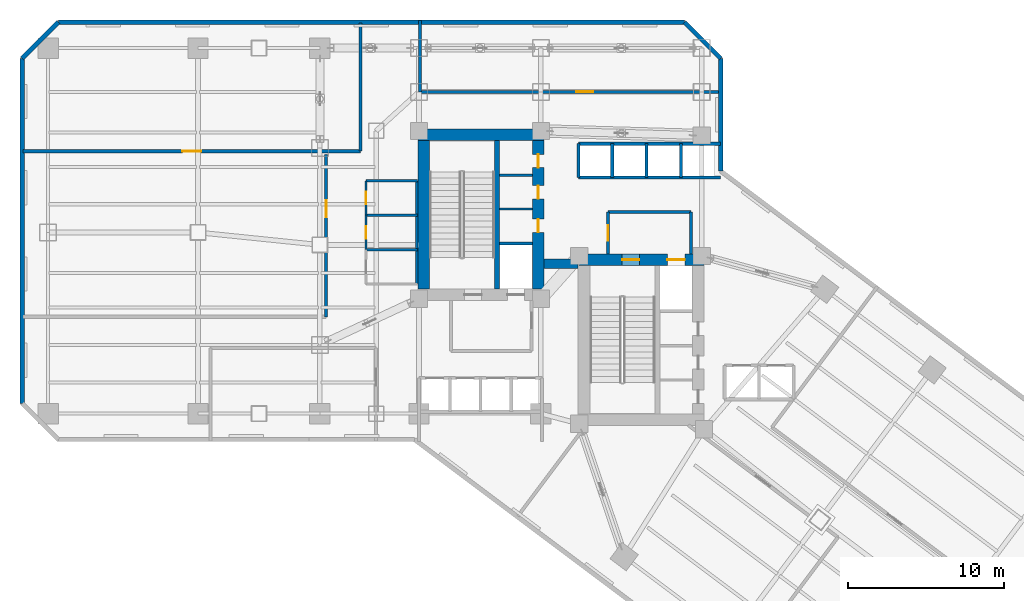
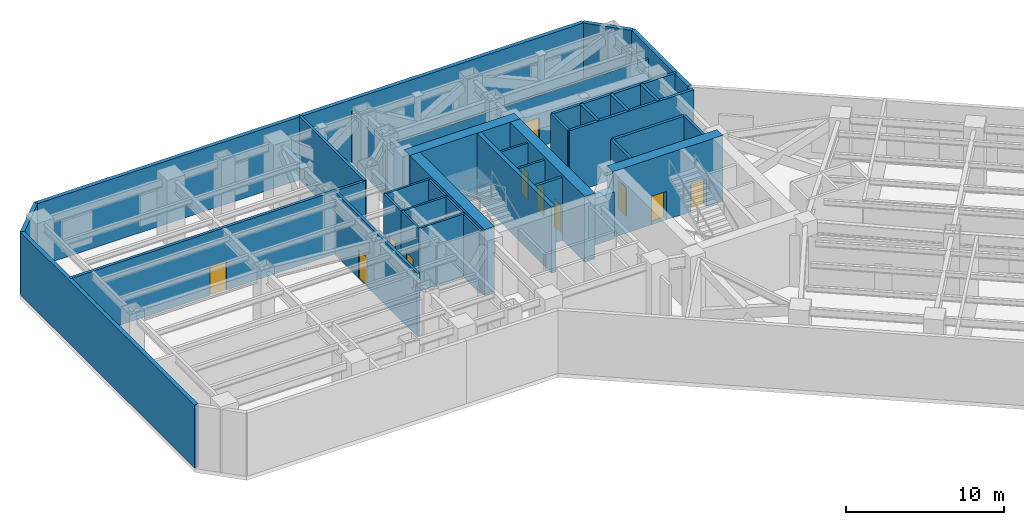
# One storey, part 11 of 16: 34 walls, 11 doors, 11 openings.
"""IFC4 building model written with IfcOpenShell, lengths in metres."""

from ifc_helpers import new_model, si_unit, direction, frame, frame_2d, origin, place, context, subcontext, project, spatial, rectangle, extrude, material, layer, layer_set, type_object, element, fill, save


model = new_model("IFC4")

# Units and contexts
model_context = context("Model", 3, precision=1e-05, world=origin(), true_north=direction((0.0, 1.0)))
body_context = subcontext(model_context, "Body", "Model", "MODEL_VIEW")
ifc_project = project(units=[si_unit("LENGTHUNIT", "METRE"), si_unit("AREAUNIT", "SQUARE_METRE"), si_unit("VOLUMEUNIT", "CUBIC_METRE"), si_unit("PLANEANGLEUNIT", "RADIAN"), si_unit("MASSUNIT", "GRAM", prefix="KILO")], contexts=[model_context])

# Site, building, storey
site_placement = place(None, origin())
site = spatial("IfcSite", under=ifc_project, at=site_placement, CompositionType="ELEMENT")
building_placement = place(site_placement, origin())
building = spatial("IfcBuilding", under=site, at=building_placement, Name="Hatsunagi Terrace Concourse", CompositionType="ELEMENT")
storey_placement = place(building_placement, frame((0.0, 0.0, 27.0)))
storey = spatial("IfcBuildingStorey", under=building, at=storey_placement, Name="L06", CompositionType="ELEMENT", Elevation=27.0)

# Walls
ifc_material_1 = material(Name="Concrete Fc60", Category="concrete")
ifc_layer_1 = layer(ifc_material_1, 0.60009765625)
ifc_layer_set_1 = layer_set([ifc_layer_1], Name="BeltWall_Fc60_600")
wall_type_1 = type_object("IfcWallType", Name="BeltWall_Fc60_600", PredefinedType="SHEAR", material=ifc_layer_set_1)
wall_1_placement = place(storey_placement, frame((33.550048828125, 34.800048828125, 0.0), z_axis=(0.0, 0.0, 1.0), x_axis=(1.0, 0.0, 0.0)))
element("IfcWall", 1, at=wall_1_placement, inside=storey, type_object=wall_type_1, Name="Belt wall core link L06", PredefinedType="SHEAR", context=body_context, shape_type="SweptSolid", body=[
    extrude(rectangle(XDim=2.18994140625, YDim=0.60009765625, at=frame_2d((1.094970703125, 0.0))), origin(), (0.0, 0.0, 1.0), 3.6298828125),
])
ifc_material_2 = material(Name="Concrete Fc60", Category="concrete")
ifc_layer_2 = layer(ifc_material_2, 0.75)
ifc_layer_set_2 = layer_set([ifc_layer_2], Name="CoreShearWall_Fc60_750")
wall_type_2 = type_object("IfcWallType", Name="CoreShearWall_Fc60_750", PredefinedType="SHEAR", material=ifc_layer_set_2)
wall_2_placement = place(storey_placement, frame((25.469970703125, 43.044921875, 0.0), z_axis=(0.0, 0.0, 1.0), x_axis=(1.0, 0.0, 0.0)))
element("IfcWall", 2, at=wall_2_placement, inside=storey, type_object=wall_type_2, Name="Core A Shear Wall N L06", PredefinedType="SHEAR", context=body_context, shape_type="SweptSolid", body=[
    extrude(rectangle(XDim=8.080078125, YDim=0.75, at=frame_2d((4.0400390625, 0.0))), origin(), (0.0, 0.0, 1.0), 5.10009765625),
])
wall_3_placement = place(storey_placement, frame((25.844970703125, 33.18994140625, 0.0), z_axis=(0.0, 0.0, 1.0), x_axis=(0.0, 1.0, 0.0)))
element("IfcWall", 3, at=wall_3_placement, inside=storey, type_object=wall_type_2, Name="Core A Shear Wall W L06", PredefinedType="SHEAR", context=body_context, shape_type="SweptSolid", body=[
    extrude(rectangle(XDim=9.47998046875, YDim=0.75, at=frame_2d((4.739990234375, 0.0))), origin(), (0.0, 0.0, 1.0), 5.10009765625),
])

# Wall, openings, doors
wall_4_placement = place(storey_placement, frame((33.175048828125, 33.18994140625, 0.0), z_axis=(0.0, 0.0, 1.0), x_axis=(0.0, 1.0, 0.0)))
wall_4 = element("IfcWall", 4, at=wall_4_placement, inside=storey, type_object=wall_type_2, Name="Core A Shear Wall E L06", PredefinedType="SHEAR", context=body_context, shape_type="SweptSolid", body=[
    extrude(rectangle(XDim=9.47998046875, YDim=0.75, at=frame_2d((4.739990234375, 0.0))), origin(), (0.0, 0.0, 1.0), 5.10009765625),
])
opening_1_placement = place(wall_4_placement, frame((3.610107421875, 0.0, 0.0)))
opening_1 = element("IfcOpeningElement", 5, at=opening_1_placement, cuts=wall_4, Name="Opening DR-085", PredefinedType="OPENING", context=body_context, shape_type="SweptSolid", body=[
    extrude(rectangle(XDim=0.85009765625, YDim=2.080078125, at=frame_2d((0.425048828125, 1.0400390625))), frame((0.0, 0.385009765625, 0.0), z_axis=(0.0, -1.0, 0.0), x_axis=(1.0, 0.0, 0.0)), (0.0, 0.0, 1.0), 0.77001953125),
])
opening_2_placement = place(wall_4_placement, frame((5.760009765625, 0.0, 0.0)))
opening_2 = element("IfcOpeningElement", 6, at=opening_2_placement, cuts=wall_4, Name="Opening DR-085", PredefinedType="OPENING", context=body_context, shape_type="SweptSolid", body=[
    extrude(rectangle(XDim=0.85009765625, YDim=2.080078125, at=frame_2d((0.425048828125, 1.0400390625))), frame((0.0, 0.385009765625, 0.0), z_axis=(0.0, -1.0, 0.0), x_axis=(1.0, 0.0, 0.0)), (0.0, 0.0, 1.0), 0.77001953125),
])
opening_3_placement = place(wall_4_placement, frame((7.760009765625, 0.0, 0.0)))
opening_3 = element("IfcOpeningElement", 7, at=opening_3_placement, cuts=wall_4, Name="Opening DR-085", PredefinedType="OPENING", context=body_context, shape_type="SweptSolid", body=[
    extrude(rectangle(XDim=0.85009765625, YDim=2.080078125, at=frame_2d((0.425048828125, 1.0400390625))), frame((0.0, 0.385009765625, 0.0), z_axis=(0.0, -1.0, 0.0), x_axis=(1.0, 0.0, 0.0)), (0.0, 0.0, 1.0), 0.77001953125),
])
ifc_material_3 = material(Name="Painted steel", Category="steel")
door_type_1 = type_object("IfcDoorType", Name="RiserAccessDoor_EI60_850", OperationType="NOTDEFINED", PredefinedType="DOOR", material=ifc_material_3)
door_1_placement = place(opening_1_placement, origin())
door_1 = element("IfcDoor", 8, at=door_1_placement, inside=storey, type_object=door_type_1, Name="Core A Riser Door L06-1", OperationType="SINGLE_SWING_LEFT", OverallHeight=2.080078125, OverallWidth=0.85009765625, PredefinedType="DOOR", context=body_context, shape_type="SweptSolid", body=[
    extrude(rectangle(XDim=0.85009765625, YDim=2.080078125, at=frame_2d((0.425048828125, 1.0400390625))), frame((0.0, 0.02490234375, 0.0), z_axis=(0.0, -1.0, 0.0), x_axis=(1.0, 0.0, 0.0)), (0.0, 0.0, 1.0), 0.050048828125),
])
fill(opening_1, door_1)
door_2_placement = place(opening_2_placement, origin())
door_2 = element("IfcDoor", 9, at=door_2_placement, inside=storey, type_object=door_type_1, Name="Core A Riser Door L06-2", OperationType="SINGLE_SWING_LEFT", OverallHeight=2.080078125, OverallWidth=0.85009765625, PredefinedType="DOOR", context=body_context, shape_type="SweptSolid", body=[
    extrude(rectangle(XDim=0.85009765625, YDim=2.080078125, at=frame_2d((0.425048828125, 1.0400390625))), frame((0.0, 0.02490234375, 0.0), z_axis=(0.0, -1.0, 0.0), x_axis=(1.0, 0.0, 0.0)), (0.0, 0.0, 1.0), 0.050048828125),
])
fill(opening_2, door_2)
door_3_placement = place(opening_3_placement, origin())
door_3 = element("IfcDoor", 10, at=door_3_placement, inside=storey, type_object=door_type_1, Name="Core A Riser Door L06-3", OperationType="SINGLE_SWING_LEFT", OverallHeight=2.080078125, OverallWidth=0.85009765625, PredefinedType="DOOR", context=body_context, shape_type="SweptSolid", body=[
    extrude(rectangle(XDim=0.85009765625, YDim=2.080078125, at=frame_2d((0.425048828125, 1.0400390625))), frame((0.0, 0.02490234375, 0.0), z_axis=(0.0, -1.0, 0.0), x_axis=(1.0, 0.0, 0.0)), (0.0, 0.0, 1.0), 0.050048828125),
])
fill(opening_3, door_3)

wall_5_placement = place(storey_placement, frame((35.739990234375, 35.044921875, 0.0), z_axis=(0.0, 0.0, 1.0), x_axis=(1.0, 0.0, 0.0)))
wall_5 = element("IfcWall", 11, at=wall_5_placement, inside=storey, type_object=wall_type_2, Name="Core B Shear Wall N L06", PredefinedType="SHEAR", context=body_context, shape_type="SweptSolid", body=[
    extrude(rectangle(XDim=8.06005859375, YDim=0.75, at=frame_2d((4.030029296875, 0.0))), origin(), (0.0, 0.0, 1.0), 5.10009765625),
])
opening_4_placement = place(wall_5_placement, frame((2.81005859375, 0.0, 0.0)))
opening_4 = element("IfcOpeningElement", 12, at=opening_4_placement, cuts=wall_5, Name="Opening DR-110S", PredefinedType="OPENING", context=body_context, shape_type="SweptSolid", body=[
    extrude(rectangle(XDim=1.10009765625, YDim=2.199951171875, at=frame_2d((0.550048828125, 1.10009765625))), frame((0.0, 0.385009765625, 0.0), z_axis=(0.0, -1.0, 0.0), x_axis=(1.0, 0.0, 0.0)), (0.0, 0.0, 1.0), 0.77001953125),
])
opening_5_placement = place(wall_5_placement, frame((5.7099609375, 0.0, 0.0)))
opening_5 = element("IfcOpeningElement", 13, at=opening_5_placement, cuts=wall_5, Name="Opening LD-02", PredefinedType="OPENING", context=body_context, shape_type="SweptSolid", body=[
    extrude(rectangle(XDim=1.1201171875, YDim=2.14990234375, at=frame_2d((0.56005859375, 1.074951171875))), frame((0.0, 0.385009765625, 0.0), z_axis=(0.0, -1.0, 0.0), x_axis=(1.0, 0.0, 0.0)), (0.0, 0.0, 1.0), 0.77001953125),
])
ifc_material_4 = material(Name="Stainless steel", Category="steel")
door_type_2 = type_object("IfcDoorType", Name="LiftLandingDoor_LD02", OperationType="SLIDING_TO_RIGHT", PredefinedType="USERDEFINED", material=ifc_material_4)
door_4_placement = place(opening_5_placement, origin())
door_4 = element("IfcDoor", 14, at=door_4_placement, inside=storey, type_object=door_type_2, Name="Lift landing door FF-02 L06", ObjectType="SLIDING_LANDING_DOOR", OperationType="SLIDING_TO_RIGHT", OverallHeight=2.14990234375, OverallWidth=1.1201171875, PredefinedType="USERDEFINED", context=body_context, shape_type="SweptSolid", body=[
    extrude(rectangle(XDim=1.1201171875, YDim=2.14990234375, at=frame_2d((0.56005859375, 1.074951171875))), frame((0.0, 0.02490234375, 0.0), z_axis=(0.0, -1.0, 0.0), x_axis=(1.0, 0.0, 0.0)), (0.0, 0.0, 1.0), 0.050048828125),
])
fill(opening_5, door_4)
ifc_material_5 = material(Name="Painted steel", Category="steel")
door_type_3 = type_object("IfcDoorType", Name="StairFireDoor_EI60_1100", OperationType="NOTDEFINED", PredefinedType="DOOR", material=ifc_material_5)
door_5_placement = place(opening_4_placement, origin())
door_5 = element("IfcDoor", 15, at=door_5_placement, inside=storey, type_object=door_type_3, Name="Stair ST-B Exit Door L06", OperationType="SINGLE_SWING_RIGHT", OverallHeight=2.199951171875, OverallWidth=1.10009765625, PredefinedType="DOOR", context=body_context, shape_type="SweptSolid", body=[
    extrude(rectangle(XDim=1.10009765625, YDim=2.199951171875, at=frame_2d((0.550048828125, 1.10009765625))), frame((0.0, 0.02490234375, 0.0), z_axis=(0.0, -1.0, 0.0), x_axis=(1.0, 0.0, 0.0)), (0.0, 0.0, 1.0), 0.050048828125),
])
fill(opening_4, door_5)

# Walls
ifc_material_6 = material(Name="Concrete Fc48", Category="concrete")
ifc_layer_3 = layer(ifc_material_6, 0.300048828125)
ifc_layer_set_3 = layer_set([ifc_layer_3], Name="CoreStairDivider_Fc48_300")
wall_type_3 = type_object("IfcWallType", Name="CoreStairDivider_Fc48_300", PredefinedType="SHEAR", material=ifc_layer_set_3)
wall_6_placement = place(storey_placement, frame((30.5400390625, 33.18994140625, 0.0), z_axis=(0.0, 0.0, 1.0), x_axis=(0.0, 1.0, 0.0)))
element("IfcWall", 16, at=wall_6_placement, inside=storey, type_object=wall_type_3, Name="Core A Shear Wall D L06", PredefinedType="SHEAR", context=body_context, shape_type="SweptSolid", body=[
    extrude(rectangle(XDim=9.47998046875, YDim=0.300048828125, at=frame_2d((4.739990234375, 0.0))), origin(), (0.0, 0.0, 1.0), 5.10009765625),
])
ifc_material_7 = material(Name="Acoustic mineral board", Category="gypsum")
ifc_layer_4 = layer(ifc_material_7, 0.14990234375)
ifc_layer_set_4 = layer_set([ifc_layer_4], Name="PartitionWall_EI60_150")
wall_type_4 = type_object("IfcWallType", Name="PartitionWall_EI60_150", PredefinedType="PARTITIONING", material=ifc_layer_set_4)
for number, where, z_axis, x_axis, name in (
    (17, (30.699951171875, 38.300048828125, 0.0), (0.0, 0.0, 1.0), (1.0, 0.0, 0.0), "Interior Partition IW-L06-002"),
    (18, (30.699951171875, 40.449951171875, 0.0), (0.0, 0.0, 1.0), (1.0, 0.0, 0.0), "Interior Partition IW-L06-003"),
):
    element("IfcWall", number, at=place(storey_placement, frame(where, z_axis=z_axis, x_axis=x_axis)), inside=storey, type_object=wall_type_4, Name=name, PredefinedType="PARTITIONING", context=body_context, shape_type="SweptSolid", body=[
        extrude(rectangle(XDim=2.10009765625, YDim=0.14990234375, at=frame_2d((1.050048828125, 0.0))), origin(), (0.0, 0.0, 1.0), 4.8798828125),
    ])
wall_7_placement = place(storey_placement, frame((22.14990234375, 40.10009765625, 0.0), z_axis=(0.0, 0.0, 1.0), x_axis=(1.0, 0.0, 0.0)))
element("IfcWall", 19, at=wall_7_placement, inside=storey, type_object=wall_type_4, Name="Interior Partition IW-L06-032", PredefinedType="PARTITIONING", context=body_context, shape_type="SweptSolid", body=[
    extrude(rectangle(XDim=3.300048828125, YDim=0.14990234375, at=frame_2d((1.64990234375, 0.0))), origin(), (0.0, 0.0, 1.0), 4.8798828125),
])
wall_8_placement = place(storey_placement, frame((25.39990234375, 33.5, 0.0), z_axis=(0.0, 0.0, 1.0), x_axis=(0.0, 1.0, 0.0)))
element("IfcWall", 20, at=wall_8_placement, inside=storey, type_object=wall_type_4, Name="Interior Partition IW-L06-033", PredefinedType="PARTITIONING", context=body_context, shape_type="SweptSolid", body=[
    extrude(rectangle(XDim=6.60009765625, YDim=0.14990234375, at=frame_2d((3.300048828125, 0.0))), origin(), (0.0, 0.0, 1.0), 4.8798828125),
])
for number, where, z_axis, x_axis, name in (
    (21, (22.14990234375, 35.699951171875, 0.0), (0.0, 0.0, 1.0), (1.0, 0.0, 0.0), "Interior Partition IW-L06-034"),
    (22, (22.14990234375, 37.89990234375, 0.0), (0.0, 0.0, 1.0), (1.0, 0.0, 0.0), "Interior Partition IW-L06-035"),
):
    element("IfcWall", number, at=place(storey_placement, frame(where, z_axis=z_axis, x_axis=x_axis)), inside=storey, type_object=wall_type_4, Name=name, PredefinedType="PARTITIONING", context=body_context, shape_type="SweptSolid", body=[
        extrude(rectangle(XDim=3.300048828125, YDim=0.14990234375, at=frame_2d((1.64990234375, 0.0))), origin(), (0.0, 0.0, 1.0), 4.8798828125),
    ])

# Wall, opening, door
wall_9_placement = place(storey_placement, frame((22.14990234375, 35.699951171875, 0.0), z_axis=(0.0, 0.0, 1.0), x_axis=(0.0, 1.0, 0.0)))
wall_9 = element("IfcWall", 23, at=wall_9_placement, inside=storey, type_object=wall_type_4, Name="Interior Partition IW-L06-037", PredefinedType="PARTITIONING", context=body_context, shape_type="SweptSolid", body=[
    extrude(rectangle(XDim=2.199951171875, YDim=0.14990234375, at=frame_2d((1.10009765625, 0.0))), origin(), (0.0, 0.0, 1.0), 4.8798828125),
])
opening_6_placement = place(wall_9_placement, frame((0.699951171875, 0.0, 0.0)))
opening_6 = element("IfcOpeningElement", 24, at=opening_6_placement, cuts=wall_9, Name="Opening DR-080", PredefinedType="OPENING", context=body_context, shape_type="SweptSolid", body=[
    extrude(rectangle(XDim=0.800048828125, YDim=2.06005859375, at=frame_2d((0.39990234375, 1.030029296875))), frame((0.0, 0.0849609375, 0.0), z_axis=(0.0, -1.0, 0.0), x_axis=(1.0, 0.0, 0.0)), (0.0, 0.0, 1.0), 0.169921875),
])
ifc_material_8 = material(Name="Hardwood timber", Category="wood")
door_type_4 = type_object("IfcDoorType", Name="BathroomDoor_800", OperationType="NOTDEFINED", PredefinedType="DOOR", material=ifc_material_8)
door_6_placement = place(opening_6_placement, origin())
door_6 = element("IfcDoor", 25, at=door_6_placement, inside=storey, type_object=door_type_4, Name="Female Restroom Door L06", OperationType="SINGLE_SWING_RIGHT", OverallHeight=2.06005859375, OverallWidth=0.800048828125, PredefinedType="DOOR", context=body_context, shape_type="SweptSolid", body=[
    extrude(rectangle(XDim=0.800048828125, YDim=2.06005859375, at=frame_2d((0.39990234375, 1.030029296875))), frame((0.0, 0.02490234375, 0.0), z_axis=(0.0, -1.0, 0.0), x_axis=(1.0, 0.0, 0.0)), (0.0, 0.0, 1.0), 0.050048828125),
])
fill(opening_6, door_6)

wall_10_placement = place(storey_placement, frame((22.14990234375, 37.89990234375, 0.0), z_axis=(0.0, 0.0, 1.0), x_axis=(0.0, 1.0, 0.0)))
wall_10 = element("IfcWall", 26, at=wall_10_placement, inside=storey, type_object=wall_type_4, Name="Interior Partition IW-L06-038", PredefinedType="PARTITIONING", context=body_context, shape_type="SweptSolid", body=[
    extrude(rectangle(XDim=2.2001953125, YDim=0.14990234375, at=frame_2d((1.10009765625, 0.0))), origin(), (0.0, 0.0, 1.0), 4.8798828125),
])
opening_7_placement = place(wall_10_placement, frame((0.699951171875, 0.0, 0.0)))
opening_7 = element("IfcOpeningElement", 27, at=opening_7_placement, cuts=wall_10, Name="Opening DR-080", PredefinedType="OPENING", context=body_context, shape_type="SweptSolid", body=[
    extrude(rectangle(XDim=0.800048828125, YDim=2.06005859375, at=frame_2d((0.39990234375, 1.030029296875))), frame((0.0, 0.0849609375, 0.0), z_axis=(0.0, -1.0, 0.0), x_axis=(1.0, 0.0, 0.0)), (0.0, 0.0, 1.0), 0.169921875),
])
door_7_placement = place(opening_7_placement, origin())
door_7 = element("IfcDoor", 28, at=door_7_placement, inside=storey, type_object=door_type_4, Name="Male Restroom Door L06", OperationType="SINGLE_SWING_RIGHT", OverallHeight=2.06005859375, OverallWidth=0.800048828125, PredefinedType="DOOR", context=body_context, shape_type="SweptSolid", body=[
    extrude(rectangle(XDim=0.800048828125, YDim=2.06005859375, at=frame_2d((0.39990234375, 1.030029296875))), frame((0.0, 0.02490234375, 0.0), z_axis=(0.0, -1.0, 0.0), x_axis=(1.0, 0.0, 0.0)), (0.0, 0.0, 1.0), 0.050048828125),
])
fill(opening_7, door_7)

# Walls
ifc_material_9 = material(Name="Acoustic mineral board", Category="gypsum")
ifc_layer_5 = layer(ifc_material_9, 0.199951171875)
ifc_layer_set_5 = layer_set([ifc_layer_5], Name="ShaftWall_EI120_200")
wall_type_5 = type_object("IfcWallType", Name="ShaftWall_EI120_200", PredefinedType="STANDARD", material=ifc_layer_set_5)
wall_11_placement = place(storey_placement, frame((30.699951171875, 36.10009765625, 0.0), z_axis=(0.0, 0.0, 1.0), x_axis=(1.0, 0.0, 0.0)))
element("IfcWall", 29, at=wall_11_placement, inside=storey, type_object=wall_type_5, Name="Interior Partition IW-L06-001", PredefinedType="STANDARD", context=body_context, shape_type="SweptSolid", body=[
    extrude(rectangle(XDim=2.10009765625, YDim=0.199951171875, at=frame_2d((1.050048828125, 0.0))), origin(), (0.0, 0.0, 1.0), 4.8798828125),
])
wall_12_placement = place(storey_placement, frame((37.64990234375, 38.10009765625, 0.0), z_axis=(0.0, 0.0, 1.0), x_axis=(1.0, 0.0, 0.0)))
element("IfcWall", 30, at=wall_12_placement, inside=storey, type_object=wall_type_5, Name="Interior Partition IW-L06-010", PredefinedType="STANDARD", context=body_context, shape_type="SweptSolid", body=[
    extrude(rectangle(XDim=5.300048828125, YDim=0.199951171875, at=frame_2d((2.64990234375, 0.0))), origin(), (0.0, 0.0, 1.0), 4.8798828125),
])
wall_13_placement = place(storey_placement, frame((42.949951171875, 35.419921875, 0.0), z_axis=(0.0, 0.0, 1.0), x_axis=(0.0, 1.0, 0.0)))
element("IfcWall", 31, at=wall_13_placement, inside=storey, type_object=wall_type_5, Name="Interior Partition IW-L06-011", PredefinedType="STANDARD", context=body_context, shape_type="SweptSolid", body=[
    extrude(rectangle(XDim=2.68017578125, YDim=0.199951171875, at=frame_2d((1.340087890625, 0.0))), origin(), (0.0, 0.0, 1.0), 4.8798828125),
])

# Wall, opening, door
wall_14_placement = place(storey_placement, frame((37.64990234375, 35.419921875, 0.0), z_axis=(0.0, 0.0, 1.0), x_axis=(0.0, 1.0, 0.0)))
wall_14 = element("IfcWall", 32, at=wall_14_placement, inside=storey, type_object=wall_type_5, Name="Interior Partition IW-L06-012", PredefinedType="STANDARD", context=body_context, shape_type="SweptSolid", body=[
    extrude(rectangle(XDim=2.68017578125, YDim=0.199951171875, at=frame_2d((1.340087890625, 0.0))), origin(), (0.0, 0.0, 1.0), 4.8798828125),
])
opening_8_placement = place(wall_14_placement, frame((0.840087890625, 0.0, 0.0)))
opening_8 = element("IfcOpeningElement", 33, at=opening_8_placement, cuts=wall_14, Name="Opening DR-100F", PredefinedType="OPENING", context=body_context, shape_type="SweptSolid", body=[
    extrude(rectangle(XDim=1.0, YDim=2.199951171875, at=frame_2d((0.5, 1.10009765625))), frame((0.0, 0.10986328125, 0.0), z_axis=(0.0, -1.0, 0.0), x_axis=(1.0, 0.0, 0.0)), (0.0, 0.0, 1.0), 0.219970703125),
])
ifc_material_10 = material(Name="Painted steel", Category="steel")
door_type_5 = type_object("IfcDoorType", Name="FireDoor_EI60_1000", OperationType="NOTDEFINED", PredefinedType="DOOR", material=ifc_material_10)
door_8_placement = place(opening_8_placement, origin())
door_8 = element("IfcDoor", 34, at=door_8_placement, inside=storey, type_object=door_type_5, Name="Firefighting Lobby B Door L06", OperationType="SINGLE_SWING_RIGHT", OverallHeight=2.199951171875, OverallWidth=1.0, PredefinedType="DOOR", context=body_context, shape_type="SweptSolid", body=[
    extrude(rectangle(XDim=1.0, YDim=2.199951171875, at=frame_2d((0.5, 1.10009765625))), frame((0.0, 0.02490234375, 0.0), z_axis=(0.0, -1.0, 0.0), x_axis=(1.0, 0.0, 0.0)), (0.0, 0.0, 1.0), 0.050048828125),
])
fill(opening_8, door_8)

# Walls
wall_15_placement = place(storey_placement, frame((35.75, 42.47998046875, 0.0), z_axis=(0.0, 0.0, 1.0), x_axis=(1.0, 0.0, 0.0)))
element("IfcWall", 35, at=wall_15_placement, inside=storey, type_object=wall_type_5, Name="Interior Partition IW-L06-020", PredefinedType="STANDARD", context=body_context, shape_type="SweptSolid", body=[
    extrude(rectangle(XDim=9.110107421875, YDim=0.199951171875, at=frame_2d((4.55517578125, 0.0))), origin(), (0.0, 0.0, 1.0), 4.8798828125),
])
for number, where, z_axis, x_axis, name in (
    (36, (35.75, 40.320068359375, 0.0), (0.0, 0.0, 1.0), (0.0, 1.0, 0.0), "Interior Partition IW-L06-021"),
    (37, (37.919921875, 40.320068359375, 0.0), (0.0, 0.0, 1.0), (0.0, 1.0, 0.0), "Interior Partition IW-L06-022"),
    (38, (40.1201171875, 40.320068359375, 0.0), (0.0, 0.0, 1.0), (0.0, 1.0, 0.0), "Interior Partition IW-L06-023"),
    (39, (42.320068359375, 40.320068359375, 0.0), (0.0, 0.0, 1.0), (0.0, 1.0, 0.0), "Interior Partition IW-L06-024"),
):
    element("IfcWall", number, at=place(storey_placement, frame(where, z_axis=z_axis, x_axis=x_axis)), inside=storey, type_object=wall_type_5, Name=name, PredefinedType="STANDARD", context=body_context, shape_type="SweptSolid", body=[
        extrude(rectangle(XDim=2.159912109375, YDim=0.199951171875, at=frame_2d((1.080078125, 0.0))), origin(), (0.0, 0.0, 1.0), 4.8798828125),
    ])
wall_16_placement = place(storey_placement, frame((35.75, 40.320068359375, 0.0), z_axis=(0.0, 0.0, 1.0), x_axis=(1.0, 0.0, 0.0)))
element("IfcWall", 40, at=wall_16_placement, inside=storey, type_object=wall_type_5, Name="Interior Partition IW-L06-025", PredefinedType="STANDARD", context=body_context, shape_type="SweptSolid", body=[
    extrude(rectangle(XDim=9.110107421875, YDim=0.199951171875, at=frame_2d((4.55517578125, 0.0))), origin(), (0.0, 0.0, 1.0), 4.8798828125),
])

# Wall, opening, door
wall_17_placement = place(storey_placement, frame((0.199951171875, 42.0, 0.0), z_axis=(0.0, 0.0, 1.0), x_axis=(1.0, 0.0, 0.0)))
wall_17 = element("IfcWall", 41, at=wall_17_placement, inside=storey, type_object=wall_type_5, Name="Interior Partition IW-L06-044", PredefinedType="STANDARD", context=body_context, shape_type="SweptSolid", body=[
    extrude(rectangle(XDim=21.60009765625, YDim=0.199951171875, at=frame_2d((10.800048828125, 0.0))), origin(), (0.0, 0.0, 1.0), 4.8798828125),
])
opening_9_placement = place(wall_17_placement, frame((10.199951171875, 0.0, 0.0)))
opening_9 = element("IfcOpeningElement", 42, at=opening_9_placement, cuts=wall_17, Name="Opening DR-120", PredefinedType="OPENING", context=body_context, shape_type="SweptSolid", body=[
    extrude(rectangle(XDim=1.199951171875, YDim=2.25, at=frame_2d((0.60009765625, 1.125))), frame((0.0, 0.10986328125, 0.0), z_axis=(0.0, -1.0, 0.0), x_axis=(1.0, 0.0, 0.0)), (0.0, 0.0, 1.0), 0.219970703125),
])
ifc_material_11 = material(Name="Painted steel", Category="steel")
door_type_6 = type_object("IfcDoorType", Name="PlantDoubleDoor_1200", OperationType="DOUBLE_DOOR_SINGLE_SWING", PredefinedType="DOOR", material=ifc_material_11)
door_9_placement = place(opening_9_placement, origin())
door_9 = element("IfcDoor", 43, at=door_9_placement, inside=storey, type_object=door_type_6, Name="Air Handling Plant Room L06-AHU Door", OperationType="DOUBLE_DOOR_SINGLE_SWING", OverallHeight=2.25, OverallWidth=1.199951171875, PredefinedType="DOOR", context=body_context, shape_type="SweptSolid", body=[
    extrude(rectangle(XDim=1.199951171875, YDim=2.25, at=frame_2d((0.60009765625, 1.125))), frame((0.0, 0.02490234375, 0.0), z_axis=(0.0, -1.0, 0.0), x_axis=(1.0, 0.0, 0.0)), (0.0, 0.0, 1.0), 0.050048828125),
])
fill(opening_9, door_9)

# Wall
wall_18_placement = place(storey_placement, frame((21.800048828125, 42.0, 0.0), z_axis=(0.0, 0.0, 1.0), x_axis=(0.0, 1.0, 0.0)))
element("IfcWall", 44, at=wall_18_placement, inside=storey, type_object=wall_type_5, Name="Interior Partition IW-L06-045", PredefinedType="STANDARD", context=body_context, shape_type="SweptSolid", body=[
    extrude(rectangle(XDim=8.199951171875, YDim=0.199951171875, at=frame_2d((4.10009765625, 0.0))), origin(), (0.0, 0.0, 1.0), 4.8798828125),
])

# Wall, opening, door
wall_19_placement = place(storey_placement, frame((25.60009765625, 45.800048828125, 0.0), z_axis=(0.0, 0.0, 1.0), x_axis=(1.0, 0.0, 0.0)))
wall_19 = element("IfcWall", 45, at=wall_19_placement, inside=storey, type_object=wall_type_5, Name="Interior Partition IW-L06-046", PredefinedType="STANDARD", context=body_context, shape_type="SweptSolid", body=[
    extrude(rectangle(XDim=19.35986328125, YDim=0.199951171875, at=frame_2d((9.679931640625, 0.0))), origin(), (0.0, 0.0, 1.0), 3.97509765625),
])
opening_10_placement = place(wall_19_placement, frame((10.0048828125, 0.0, 0.0)))
opening_10 = element("IfcOpeningElement", 46, at=opening_10_placement, cuts=wall_19, Name="Opening DR-110F", PredefinedType="OPENING", context=body_context, shape_type="SweptSolid", body=[
    extrude(rectangle(XDim=1.10009765625, YDim=2.239990234375, at=frame_2d((0.550048828125, 1.1201171875))), frame((0.0, 0.10986328125, 0.0), z_axis=(0.0, -1.0, 0.0), x_axis=(1.0, 0.0, 0.0)), (0.0, 0.0, 1.0), 0.219970703125),
])
ifc_material_12 = material(Name="Painted steel", Category="steel")
door_type_7 = type_object("IfcDoorType", Name="FireDoor_EI60_1100", OperationType="NOTDEFINED", PredefinedType="DOOR", material=ifc_material_12)
door_10_placement = place(opening_10_placement, origin())
door_10 = element("IfcDoor", 47, at=door_10_placement, inside=storey, type_object=door_type_7, Name="Water Tank Room L06-WTK Door", OperationType="SINGLE_SWING_LEFT", OverallHeight=2.239990234375, OverallWidth=1.10009765625, PredefinedType="DOOR", context=body_context, shape_type="SweptSolid", body=[
    extrude(rectangle(XDim=1.10009765625, YDim=2.239990234375, at=frame_2d((0.550048828125, 1.1201171875))), frame((0.0, 0.02490234375, 0.0), z_axis=(0.0, -1.0, 0.0), x_axis=(1.0, 0.0, 0.0)), (0.0, 0.0, 1.0), 0.050048828125),
])
fill(opening_10, door_10)

# Wall
wall_20_placement = place(storey_placement, frame((25.60009765625, 45.800048828125, 0.0), z_axis=(0.0, 0.0, 1.0), x_axis=(0.0, 1.0, 0.0)))
element("IfcWall", 48, at=wall_20_placement, inside=storey, type_object=wall_type_5, Name="Interior Partition IW-L06-047", PredefinedType="STANDARD", context=body_context, shape_type="SweptSolid", body=[
    extrude(rectangle(XDim=4.56005859375, YDim=0.199951171875, at=frame_2d((2.280029296875, 0.0))), origin(), (0.0, 0.0, 1.0), 3.97509765625),
])

# Wall, opening, door
wall_21_placement = place(storey_placement, frame((19.60009765625, 31.39990234375, 0.0), z_axis=(0.0, 0.0, 1.0), x_axis=(0.0, 1.0, 0.0)))
wall_21 = element("IfcWall", 49, at=wall_21_placement, inside=storey, type_object=wall_type_5, Name="Interior Partition IW-L06-052", PredefinedType="STANDARD", context=body_context, shape_type="SweptSolid", body=[
    extrude(rectangle(XDim=10.400146484375, YDim=0.199951171875, at=frame_2d((5.2001953125, 0.0))), origin(), (0.0, 0.0, 1.0), 4.8798828125),
])
opening_11_placement = place(wall_21_placement, frame((6.35791015625, 0.0, 0.0)))
opening_11 = element("IfcOpeningElement", 50, at=opening_11_placement, cuts=wall_21, Name="Opening DR-110F", PredefinedType="OPENING", context=body_context, shape_type="SweptSolid", body=[
    extrude(rectangle(XDim=1.10009765625, YDim=2.239990234375, at=frame_2d((0.550048828125, 1.1201171875))), frame((0.0, 0.10986328125, 0.0), z_axis=(0.0, -1.0, 0.0), x_axis=(1.0, 0.0, 0.0)), (0.0, 0.0, 1.0), 0.219970703125),
])
door_11_placement = place(opening_11_placement, origin())
door_11 = element("IfcDoor", 51, at=door_11_placement, inside=storey, type_object=door_type_7, Name="Electrical Switch Room L06-ELR Door", OperationType="SINGLE_SWING_RIGHT", OverallHeight=2.239990234375, OverallWidth=1.10009765625, PredefinedType="DOOR", context=body_context, shape_type="SweptSolid", body=[
    extrude(rectangle(XDim=1.10009765625, YDim=2.239990234375, at=frame_2d((0.550048828125, 1.1201171875))), frame((0.0, 0.02490234375, 0.0), z_axis=(0.0, -1.0, 0.0), x_axis=(1.0, 0.0, 0.0)), (0.0, 0.0, 1.0), 0.050048828125),
])
fill(opening_11, door_11)

# Walls
ifc_material_13 = material(Name="Autoclaved Lightweight Concrete and Terracotta Cladding", Category="masonry")
ifc_layer_6 = layer(ifc_material_13, 0.280029296875)
ifc_layer_set_6 = layer_set([ifc_layer_6], Name="TerracottaSpandrelWall_280")
wall_type_6 = type_object("IfcWallType", Name="TerracottaSpandrelWall_280", PredefinedType="STANDARD", material=ifc_layer_set_6)
wall_22_placement = place(storey_placement, frame((0.139892578125, 25.85791015625, 0.0), z_axis=(0.0, 0.0, 1.0), x_axis=(0.0, 1.0, 0.0)))
element("IfcWall", 52, at=wall_22_placement, inside=storey, type_object=wall_type_6, Name="Exterior Spandrel Wall EW-L06-09", PredefinedType="STANDARD", context=body_context, shape_type="SweptSolid", body=[
    extrude(rectangle(XDim=22.083984375, YDim=0.280029296875, at=frame_2d((11.0419921875, 0.0))), origin(), (0.0, 0.0, 1.0), 4.8798828125),
])
wall_23_placement = place(storey_placement, frame((0.139892578125, 47.94189453125, 0.0), z_axis=(0.0, 0.0, 1.0), x_axis=(0.707106781187, 0.707106781187, 0.0)))
element("IfcWall", 53, at=wall_23_placement, inside=storey, type_object=wall_type_6, Name="Exterior Spandrel Wall EW-L06-10", PredefinedType="STANDARD", context=body_context, shape_type="SweptSolid", body=[
    extrude(rectangle(XDim=3.2783203125, YDim=0.280029296875, at=frame_2d((1.63916015625, 0.0))), origin(), (0.0, 0.0, 1.0), 4.8798828125),
])
wall_24_placement = place(storey_placement, frame((2.4580078125, 50.260009765625, 0.0), z_axis=(0.0, 0.0, 1.0), x_axis=(1.0, 0.0, 0.0)))
element("IfcWall", 54, at=wall_24_placement, inside=storey, type_object=wall_type_6, Name="Exterior Spandrel Wall EW-L06-11", PredefinedType="STANDARD", context=body_context, shape_type="SweptSolid", body=[
    extrude(rectangle(XDim=40.083984375, YDim=0.280029296875, at=frame_2d((20.0419921875, 0.0))), origin(), (0.0, 0.0, 1.0), 4.8798828125),
])
wall_25_placement = place(storey_placement, frame((42.5419921875, 50.260009765625, 0.0), z_axis=(0.0, 0.0, 1.0), x_axis=(0.707106781187, -0.707106781187, 0.0)))
element("IfcWall", 55, at=wall_25_placement, inside=storey, type_object=wall_type_6, Name="Exterior Spandrel Wall EW-L06-12", PredefinedType="STANDARD", context=body_context, shape_type="SweptSolid", body=[
    extrude(rectangle(XDim=3.2783203125, YDim=0.280029296875, at=frame_2d((1.63916015625, 0.0))), origin(), (0.0, 0.0, 1.0), 4.8798828125),
])
wall_26_placement = place(storey_placement, frame((44.860107421875, 47.94189453125, 0.0), z_axis=(0.0, 0.0, 1.0), x_axis=(0.0, -1.0, 0.0)))
element("IfcWall", 56, at=wall_26_placement, inside=storey, type_object=wall_type_6, Name="Exterior Spandrel Wall EW-L06-13", PredefinedType="STANDARD", context=body_context, shape_type="SweptSolid", body=[
    extrude(rectangle(XDim=7.2119140625, YDim=0.280029296875, at=frame_2d((3.60595703125, 0.0))), origin(), (0.0, 0.0, 1.0), 4.8798828125),
])

save(model, "model.ifc")
